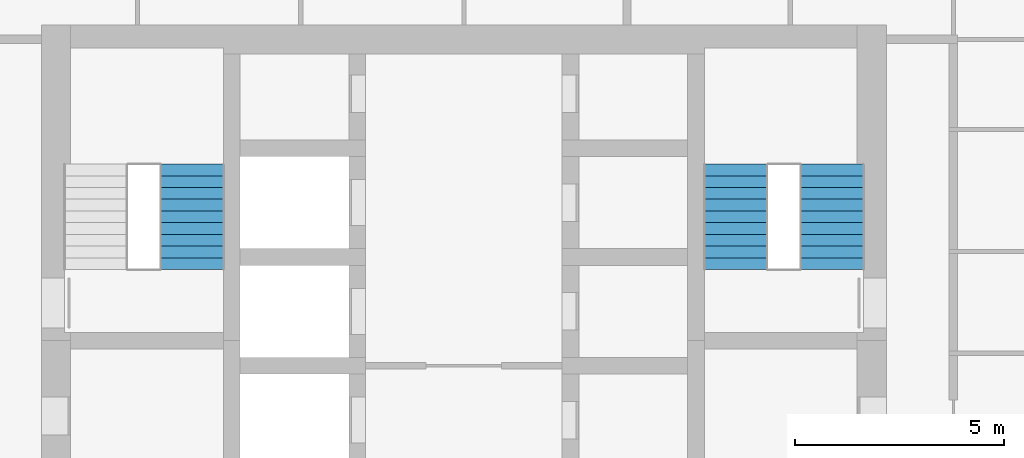
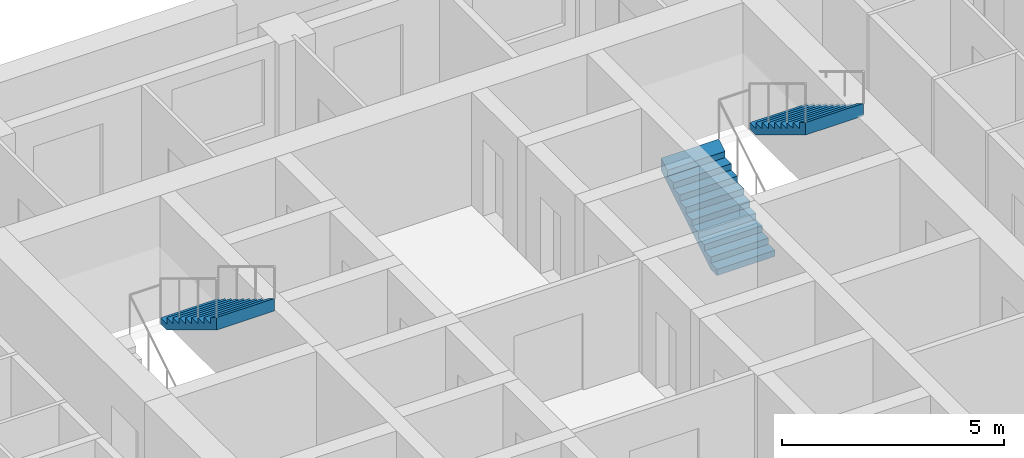
# One storey, part 15 of 17: 3 stair flights, 2 elements without a shape of their own.
"""IFC4 building model written with IfcOpenShell, lengths in metres."""

from ifc_helpers import new_model, si_unit, direction, frame, origin, place, context, subcontext, project, spatial, triangles, material, type_object, element, aggregate, save


model = new_model("IFC4")

# Units and contexts
model_context = context("Model", 3, precision=1e-05, world=origin(), true_north=direction((0.0, 1.0)))
body_context = subcontext(model_context, "Body", "Model", "MODEL_VIEW")
ifc_project = project(units=[si_unit("LENGTHUNIT", "METRE"), si_unit("AREAUNIT", "SQUARE_METRE"), si_unit("VOLUMEUNIT", "CUBIC_METRE"), si_unit("PLANEANGLEUNIT", "RADIAN"), si_unit("MASSUNIT", "GRAM", prefix="KILO")], contexts=[model_context])

# Site, building, storey
site_placement = place(None, origin())
site = spatial("IfcSite", under=ifc_project, at=site_placement, CompositionType="ELEMENT")
building_placement = place(site_placement, origin())
building = spatial("IfcBuilding", under=site, at=building_placement, Name="Ludao Terraces", CompositionType="ELEMENT")
storey_placement = place(building_placement, frame((0.0, 0.0, 92.0)))
storey = spatial("IfcBuildingStorey", under=building, at=storey_placement, Name="L25", CompositionType="ELEMENT", Elevation=92.0)

# Stair, stair flight
ifc_material = material(Name="Concrete C40", Category="concrete")
stair_type = type_object("IfcStairType", Name="INT Stair", PredefinedType="HALF_TURN_STAIR", material=ifc_material)
stair_1_placement = place(storey_placement, origin())
stair_1 = element("IfcStair", 1, at=stair_1_placement, inside=storey, type_object=stair_type, Name="EXIT STAIR 1", PredefinedType="HALF_TURN_STAIR")
stair_flight_type = type_object("IfcStairFlightType", Name="INT Stair flight", PredefinedType="STRAIGHT", material=ifc_material)
stair_flight_1_placement = place(storey_placement, frame((78.5, 81.52001953125, 1.699951171875), z_axis=(0.0, 0.0, 1.0), x_axis=(0.0, -1.0, 0.0)))
stair_flight_1 = element("IfcStairFlight", 2, at=stair_flight_1_placement, type_object=stair_flight_type, Name="ST1 flight 2", NumberOfRisers=10, NumberOfTreads=9, PredefinedType="STRAIGHT", RiserHeight=0.17, TreadLength=0.28, context=body_context, shape_type="Tessellation", body=[
    triangles([(0.0, -0.75, 0.0), (0.0, -0.5, 0.0), (0.0, -0.25, 0.0), (0.0, 0.0, 0.0), (0.0, 0.25, 0.0), (0.0, 0.5, 0.0), (0.0, 0.75, 0.0), (0.0, -0.75, 0.169921875), (0.0, -0.5, 0.169921875), (0.0, -0.25, 0.169921875), (0.0, 0.0, 0.169921875), (0.0, 0.25, 0.169921875), (0.0, 0.5, 0.169921875), (0.0, 0.75, 0.169921875), (0.280029296875, -0.75, 0.169921875), (0.280029296875, -0.5, 0.169921875), (0.280029296875, -0.25, 0.169921875), (0.280029296875, 0.0, 0.169921875), (0.280029296875, 0.25, 0.169921875), (0.280029296875, 0.5, 0.169921875), (0.280029296875, 0.75, 0.169921875), (0.280029296875, -0.75, 0.340087890625), (0.280029296875, -0.5, 0.340087890625), (0.280029296875, -0.25, 0.340087890625), (0.280029296875, 0.0, 0.340087890625), (0.280029296875, 0.25, 0.340087890625), (0.280029296875, 0.5, 0.340087890625), (0.280029296875, 0.75, 0.340087890625), (0.56005859375, -0.75, 0.340087890625), (0.56005859375, -0.5, 0.340087890625), (0.56005859375, -0.25, 0.340087890625), (0.56005859375, 0.0, 0.340087890625), (0.56005859375, 0.25, 0.340087890625), (0.56005859375, 0.5, 0.340087890625), (0.56005859375, 0.75, 0.340087890625), (0.56005859375, -0.75, 0.510009765625), (0.56005859375, -0.5, 0.510009765625), (0.56005859375, -0.25, 0.510009765625), (0.56005859375, 0.0, 0.510009765625), (0.56005859375, 0.25, 0.510009765625), (0.56005859375, 0.5, 0.510009765625), (0.56005859375, 0.75, 0.510009765625), (0.840087890625, -0.75, 0.510009765625), (0.840087890625, -0.5, 0.510009765625), (0.840087890625, -0.25, 0.510009765625), (0.840087890625, 0.0, 0.510009765625), (0.840087890625, 0.25, 0.510009765625), (0.840087890625, 0.5, 0.510009765625), (0.840087890625, 0.75, 0.510009765625), (0.840087890625, -0.75, 0.679931640625), (0.840087890625, -0.5, 0.679931640625), (0.840087890625, -0.25, 0.679931640625), (0.840087890625, 0.0, 0.679931640625), (0.840087890625, 0.25, 0.679931640625), (0.840087890625, 0.5, 0.679931640625), (0.840087890625, 0.75, 0.679931640625), (1.1201171875, -0.75, 0.679931640625), (1.1201171875, -0.5, 0.679931640625), (1.1201171875, -0.25, 0.679931640625), (1.1201171875, 0.0, 0.679931640625), (1.1201171875, 0.25, 0.679931640625), (1.1201171875, 0.5, 0.679931640625), (1.1201171875, 0.75, 0.679931640625), (1.1201171875, -0.75, 0.85009765625), (1.1201171875, -0.5, 0.85009765625), (1.1201171875, -0.25, 0.85009765625), (1.1201171875, 0.0, 0.85009765625), (1.1201171875, 0.25, 0.85009765625), (1.1201171875, 0.5, 0.85009765625), (1.1201171875, 0.75, 0.85009765625), (1.39990234375, -0.75, 0.85009765625), (1.39990234375, -0.5, 0.85009765625), (1.39990234375, -0.25, 0.85009765625), (1.39990234375, 0.0, 0.85009765625), (1.39990234375, 0.25, 0.85009765625), (1.39990234375, 0.5, 0.85009765625), (1.39990234375, 0.75, 0.85009765625), (1.39990234375, -0.75, 1.02001953125), (1.39990234375, -0.5, 1.02001953125), (1.39990234375, -0.25, 1.02001953125), (1.39990234375, 0.0, 1.02001953125), (1.39990234375, 0.25, 1.02001953125), (1.39990234375, 0.5, 1.02001953125), (1.39990234375, 0.75, 1.02001953125), (1.679931640625, -0.75, 1.02001953125), (1.679931640625, -0.5, 1.02001953125), (1.679931640625, -0.25, 1.02001953125), (1.679931640625, 0.0, 1.02001953125), (1.679931640625, 0.25, 1.02001953125), (1.679931640625, 0.5, 1.02001953125), (1.679931640625, 0.75, 1.02001953125), (1.679931640625, -0.75, 1.18994140625), (1.679931640625, -0.5, 1.18994140625), (1.679931640625, -0.25, 1.18994140625), (1.679931640625, 0.0, 1.18994140625), (1.679931640625, 0.25, 1.18994140625), (1.679931640625, 0.5, 1.18994140625), (1.679931640625, 0.75, 1.18994140625), (1.9599609375, -0.75, 1.18994140625), (1.9599609375, -0.5, 1.18994140625), (1.9599609375, -0.25, 1.18994140625), (1.9599609375, 0.0, 1.18994140625), (1.9599609375, 0.25, 1.18994140625), (1.9599609375, 0.5, 1.18994140625), (1.9599609375, 0.75, 1.18994140625), (1.9599609375, -0.75, 1.360107421875), (1.9599609375, -0.5, 1.360107421875), (1.9599609375, -0.25, 1.360107421875), (1.9599609375, 0.0, 1.360107421875), (1.9599609375, 0.25, 1.360107421875), (1.9599609375, 0.5, 1.360107421875), (1.9599609375, 0.75, 1.360107421875), (2.239990234375, -0.75, 1.360107421875), (2.239990234375, -0.5, 1.360107421875), (2.239990234375, -0.25, 1.360107421875), (2.239990234375, 0.0, 1.360107421875), (2.239990234375, 0.25, 1.360107421875), (2.239990234375, 0.5, 1.360107421875), (2.239990234375, 0.75, 1.360107421875), (2.239990234375, -0.75, 1.530029296875), (2.239990234375, -0.5, 1.530029296875), (2.239990234375, -0.25, 1.530029296875), (2.239990234375, 0.0, 1.530029296875), (2.239990234375, 0.25, 1.530029296875), (2.239990234375, 0.5, 1.530029296875), (2.239990234375, 0.75, 1.530029296875), (2.52001953125, -0.75, 1.699951171875), (2.52001953125, -0.5, 1.699951171875), (2.52001953125, -0.25, 1.699951171875), (2.52001953125, 0.0, 1.699951171875), (2.52001953125, 0.25, 1.699951171875), (2.52001953125, 0.5, 1.699951171875), (2.52001953125, 0.75, 1.699951171875), (2.52001953125, -0.75, 1.354736328125), (2.52001953125, -0.5, 1.354736328125), (2.52001953125, -0.25, 1.354736328125), (2.52001953125, 0.0, 1.354736328125), (2.52001953125, 0.25, 1.354736328125), (2.52001953125, 0.5, 1.354736328125), (2.52001953125, 0.75, 1.354736328125), (0.288818359375, -0.75, 0.0), (0.288818359375, -0.5, 0.0), (0.288818359375, -0.25, 0.0), (0.288818359375, 0.0, 0.0), (0.288818359375, 0.25, 0.0), (0.288818359375, 0.5, 0.0), (0.288818359375, 0.75, 0.0)], [[1, 141, 134], [7, 140, 147], [134, 127, 120], [140, 126, 133], [134, 120, 113], [140, 119, 126], [134, 113, 106], [140, 112, 119], [134, 106, 99], [140, 105, 112], [99, 92, 85], [105, 91, 98], [134, 99, 85], [140, 91, 105], [85, 78, 71], [91, 77, 84], [134, 85, 71], [140, 77, 91], [71, 64, 57], [77, 63, 70], [134, 71, 57], [140, 63, 77], [57, 50, 43], [63, 49, 56], [134, 57, 43], [140, 49, 63], [43, 36, 29], [49, 35, 42], [134, 43, 29], [140, 35, 49], [29, 22, 15], [35, 21, 28], [134, 29, 15], [140, 21, 35], [1, 134, 15], [7, 21, 140], [15, 8, 1], [21, 7, 14], [1, 9, 2], [1, 8, 9], [2, 10, 3], [2, 9, 10], [3, 11, 4], [3, 10, 11], [4, 12, 5], [4, 11, 12], [5, 13, 6], [5, 12, 13], [6, 14, 7], [6, 13, 14], [8, 16, 9], [8, 15, 16], [9, 17, 10], [9, 16, 17], [10, 18, 11], [10, 17, 18], [11, 19, 12], [11, 18, 19], [12, 20, 13], [12, 19, 20], [13, 21, 14], [13, 20, 21], [15, 23, 16], [15, 22, 23], [16, 24, 17], [16, 23, 24], [17, 25, 18], [17, 24, 25], [18, 26, 19], [18, 25, 26], [19, 27, 20], [19, 26, 27], [20, 28, 21], [20, 27, 28], [22, 30, 23], [22, 29, 30], [23, 31, 24], [23, 30, 31], [24, 32, 25], [24, 31, 32], [25, 33, 26], [25, 32, 33], [26, 34, 27], [26, 33, 34], [27, 35, 28], [27, 34, 35], [29, 37, 30], [29, 36, 37], [30, 38, 31], [30, 37, 38], [31, 39, 32], [31, 38, 39], [32, 40, 33], [32, 39, 40], [33, 41, 34], [33, 40, 41], [34, 42, 35], [34, 41, 42], [36, 44, 37], [36, 43, 44], [37, 45, 38], [37, 44, 45], [38, 46, 39], [38, 45, 46], [39, 47, 40], [39, 46, 47], [40, 48, 41], [40, 47, 48], [41, 49, 42], [41, 48, 49], [43, 51, 44], [43, 50, 51], [44, 52, 45], [44, 51, 52], [45, 53, 46], [45, 52, 53], [46, 54, 47], [46, 53, 54], [47, 55, 48], [47, 54, 55], [48, 56, 49], [48, 55, 56], [50, 58, 51], [50, 57, 58], [51, 59, 52], [51, 58, 59], [52, 60, 53], [52, 59, 60], [53, 61, 54], [53, 60, 61], [54, 62, 55], [54, 61, 62], [55, 63, 56], [55, 62, 63], [57, 65, 58], [57, 64, 65], [58, 66, 59], [58, 65, 66], [59, 67, 60], [59, 66, 67], [60, 68, 61], [60, 67, 68], [61, 69, 62], [61, 68, 69], [62, 70, 63], [62, 69, 70], [64, 72, 65], [64, 71, 72], [65, 73, 66], [65, 72, 73], [66, 74, 67], [66, 73, 74], [67, 75, 68], [67, 74, 75], [68, 76, 69], [68, 75, 76], [69, 77, 70], [69, 76, 77], [71, 79, 72], [71, 78, 79], [72, 80, 73], [72, 79, 80], [73, 81, 74], [73, 80, 81], [74, 82, 75], [74, 81, 82], [75, 83, 76], [75, 82, 83], [76, 84, 77], [76, 83, 84], [78, 86, 79], [78, 85, 86], [79, 87, 80], [79, 86, 87], [80, 88, 81], [80, 87, 88], [81, 89, 82], [81, 88, 89], [82, 90, 83], [82, 89, 90], [83, 91, 84], [83, 90, 91], [85, 93, 86], [85, 92, 93], [86, 94, 87], [86, 93, 94], [87, 95, 88], [87, 94, 95], [88, 96, 89], [88, 95, 96], [89, 97, 90], [89, 96, 97], [90, 98, 91], [90, 97, 98], [92, 100, 93], [92, 99, 100], [93, 101, 94], [93, 100, 101], [94, 102, 95], [94, 101, 102], [95, 103, 96], [95, 102, 103], [96, 104, 97], [96, 103, 104], [97, 105, 98], [97, 104, 105], [99, 107, 100], [99, 106, 107], [100, 108, 101], [100, 107, 108], [101, 109, 102], [101, 108, 109], [102, 110, 103], [102, 109, 110], [103, 111, 104], [103, 110, 111], [104, 112, 105], [104, 111, 112], [106, 114, 107], [106, 113, 114], [107, 115, 108], [107, 114, 115], [108, 116, 109], [108, 115, 116], [109, 117, 110], [109, 116, 117], [110, 118, 111], [110, 117, 118], [111, 119, 112], [111, 118, 119], [113, 121, 114], [113, 120, 121], [114, 122, 115], [114, 121, 122], [115, 123, 116], [115, 122, 123], [116, 124, 117], [116, 123, 124], [117, 125, 118], [117, 124, 125], [118, 126, 119], [118, 125, 126], [120, 128, 121], [120, 127, 128], [121, 129, 122], [121, 128, 129], [122, 130, 123], [122, 129, 130], [123, 131, 124], [123, 130, 131], [124, 132, 125], [124, 131, 132], [125, 133, 126], [125, 132, 133], [127, 135, 128], [127, 134, 135], [128, 136, 129], [128, 135, 136], [129, 137, 130], [129, 136, 137], [130, 138, 131], [130, 137, 138], [131, 139, 132], [131, 138, 139], [132, 140, 133], [132, 139, 140], [134, 142, 135], [134, 141, 142], [135, 143, 136], [135, 142, 143], [136, 144, 137], [136, 143, 144], [137, 145, 138], [137, 144, 145], [138, 146, 139], [138, 145, 146], [139, 147, 140], [139, 146, 147], [141, 2, 142], [141, 1, 2], [142, 3, 143], [142, 2, 3], [143, 4, 144], [143, 3, 4], [144, 5, 145], [144, 4, 5], [145, 6, 146], [145, 5, 6], [146, 7, 147], [146, 6, 7]], closed=True),
])
aggregate(stair_1, [stair_flight_1])

# Stair, stair flights
stair_2_placement = place(storey_placement, origin())
stair_2 = element("IfcStair", 3, at=stair_2_placement, inside=storey, type_object=stair_type, Name="EXIT STAIR 2", PredefinedType="HALF_TURN_STAIR")
stair_flight_2_placement = place(storey_placement, frame((91.5, 79.0, 0.0), z_axis=(0.0, 0.0, 1.0), x_axis=(0.0, 1.0, 0.0)))
stair_flight_2 = element("IfcStairFlight", 4, at=stair_flight_2_placement, type_object=stair_flight_type, Name="ST2 flight 1", NumberOfRisers=10, NumberOfTreads=9, PredefinedType="STRAIGHT", RiserHeight=0.17, TreadLength=0.28, context=body_context, shape_type="Tessellation", body=[
    triangles([(0.0, -0.75, 0.0), (0.0, -0.5, 0.0), (0.0, -0.25, 0.0), (0.0, 0.0, 0.0), (0.0, 0.25, 0.0), (0.0, 0.5, 0.0), (0.0, 0.75, 0.0), (0.0, -0.75, 0.169921875), (0.0, -0.5, 0.169921875), (0.0, -0.25, 0.169921875), (0.0, 0.0, 0.169921875), (0.0, 0.25, 0.169921875), (0.0, 0.5, 0.169921875), (0.0, 0.75, 0.169921875), (0.280029296875, -0.75, 0.169921875), (0.280029296875, -0.5, 0.169921875), (0.280029296875, -0.25, 0.169921875), (0.280029296875, 0.0, 0.169921875), (0.280029296875, 0.25, 0.169921875), (0.280029296875, 0.5, 0.169921875), (0.280029296875, 0.75, 0.169921875), (0.280029296875, -0.75, 0.340087890625), (0.280029296875, -0.5, 0.340087890625), (0.280029296875, -0.25, 0.340087890625), (0.280029296875, 0.0, 0.340087890625), (0.280029296875, 0.25, 0.340087890625), (0.280029296875, 0.5, 0.340087890625), (0.280029296875, 0.75, 0.340087890625), (0.56005859375, -0.75, 0.340087890625), (0.56005859375, -0.5, 0.340087890625), (0.56005859375, -0.25, 0.340087890625), (0.56005859375, 0.0, 0.340087890625), (0.56005859375, 0.25, 0.340087890625), (0.56005859375, 0.5, 0.340087890625), (0.56005859375, 0.75, 0.340087890625), (0.56005859375, -0.75, 0.510009765625), (0.56005859375, -0.5, 0.510009765625), (0.56005859375, -0.25, 0.510009765625), (0.56005859375, 0.0, 0.510009765625), (0.56005859375, 0.25, 0.510009765625), (0.56005859375, 0.5, 0.510009765625), (0.56005859375, 0.75, 0.510009765625), (0.840087890625, -0.75, 0.510009765625), (0.840087890625, -0.5, 0.510009765625), (0.840087890625, -0.25, 0.510009765625), (0.840087890625, 0.0, 0.510009765625), (0.840087890625, 0.25, 0.510009765625), (0.840087890625, 0.5, 0.510009765625), (0.840087890625, 0.75, 0.510009765625), (0.840087890625, -0.75, 0.679931640625), (0.840087890625, -0.5, 0.679931640625), (0.840087890625, -0.25, 0.679931640625), (0.840087890625, 0.0, 0.679931640625), (0.840087890625, 0.25, 0.679931640625), (0.840087890625, 0.5, 0.679931640625), (0.840087890625, 0.75, 0.679931640625), (1.1201171875, -0.75, 0.679931640625), (1.1201171875, -0.5, 0.679931640625), (1.1201171875, -0.25, 0.679931640625), (1.1201171875, 0.0, 0.679931640625), (1.1201171875, 0.25, 0.679931640625), (1.1201171875, 0.5, 0.679931640625), (1.1201171875, 0.75, 0.679931640625), (1.1201171875, -0.75, 0.85009765625), (1.1201171875, -0.5, 0.85009765625), (1.1201171875, -0.25, 0.85009765625), (1.1201171875, 0.0, 0.85009765625), (1.1201171875, 0.25, 0.85009765625), (1.1201171875, 0.5, 0.85009765625), (1.1201171875, 0.75, 0.85009765625), (1.39990234375, -0.75, 0.85009765625), (1.39990234375, -0.5, 0.85009765625), (1.39990234375, -0.25, 0.85009765625), (1.39990234375, 0.0, 0.85009765625), (1.39990234375, 0.25, 0.85009765625), (1.39990234375, 0.5, 0.85009765625), (1.39990234375, 0.75, 0.85009765625), (1.39990234375, -0.75, 1.02001953125), (1.39990234375, -0.5, 1.02001953125), (1.39990234375, -0.25, 1.02001953125), (1.39990234375, 0.0, 1.02001953125), (1.39990234375, 0.25, 1.02001953125), (1.39990234375, 0.5, 1.02001953125), (1.39990234375, 0.75, 1.02001953125), (1.679931640625, -0.75, 1.02001953125), (1.679931640625, -0.5, 1.02001953125), (1.679931640625, -0.25, 1.02001953125), (1.679931640625, 0.0, 1.02001953125), (1.679931640625, 0.25, 1.02001953125), (1.679931640625, 0.5, 1.02001953125), (1.679931640625, 0.75, 1.02001953125), (1.679931640625, -0.75, 1.18994140625), (1.679931640625, -0.5, 1.18994140625), (1.679931640625, -0.25, 1.18994140625), (1.679931640625, 0.0, 1.18994140625), (1.679931640625, 0.25, 1.18994140625), (1.679931640625, 0.5, 1.18994140625), (1.679931640625, 0.75, 1.18994140625), (1.9599609375, -0.75, 1.18994140625), (1.9599609375, -0.5, 1.18994140625), (1.9599609375, -0.25, 1.18994140625), (1.9599609375, 0.0, 1.18994140625), (1.9599609375, 0.25, 1.18994140625), (1.9599609375, 0.5, 1.18994140625), (1.9599609375, 0.75, 1.18994140625), (1.9599609375, -0.75, 1.360107421875), (1.9599609375, -0.5, 1.360107421875), (1.9599609375, -0.25, 1.360107421875), (1.9599609375, 0.0, 1.360107421875), (1.9599609375, 0.25, 1.360107421875), (1.9599609375, 0.5, 1.360107421875), (1.9599609375, 0.75, 1.360107421875), (2.239990234375, -0.75, 1.360107421875), (2.239990234375, -0.5, 1.360107421875), (2.239990234375, -0.25, 1.360107421875), (2.239990234375, 0.0, 1.360107421875), (2.239990234375, 0.25, 1.360107421875), (2.239990234375, 0.5, 1.360107421875), (2.239990234375, 0.75, 1.360107421875), (2.239990234375, -0.75, 1.530029296875), (2.239990234375, -0.5, 1.530029296875), (2.239990234375, -0.25, 1.530029296875), (2.239990234375, 0.0, 1.530029296875), (2.239990234375, 0.25, 1.530029296875), (2.239990234375, 0.5, 1.530029296875), (2.239990234375, 0.75, 1.530029296875), (2.52001953125, -0.75, 1.699951171875), (2.52001953125, -0.5, 1.699951171875), (2.52001953125, -0.25, 1.699951171875), (2.52001953125, 0.0, 1.699951171875), (2.52001953125, 0.25, 1.699951171875), (2.52001953125, 0.5, 1.699951171875), (2.52001953125, 0.75, 1.699951171875), (2.52001953125, -0.75, 1.354736328125), (2.52001953125, -0.5, 1.354736328125), (2.52001953125, -0.25, 1.354736328125), (2.52001953125, 0.0, 1.354736328125), (2.52001953125, 0.25, 1.354736328125), (2.52001953125, 0.5, 1.354736328125), (2.52001953125, 0.75, 1.354736328125), (0.288818359375, -0.75, 0.0), (0.288818359375, -0.5, 0.0), (0.288818359375, -0.25, 0.0), (0.288818359375, 0.0, 0.0), (0.288818359375, 0.25, 0.0), (0.288818359375, 0.5, 0.0), (0.288818359375, 0.75, 0.0)], [[1, 141, 134], [7, 140, 147], [134, 127, 120], [140, 126, 133], [134, 120, 113], [140, 119, 126], [134, 113, 106], [140, 112, 119], [134, 106, 99], [140, 105, 112], [99, 92, 85], [105, 91, 98], [134, 99, 85], [140, 91, 105], [85, 78, 71], [91, 77, 84], [134, 85, 71], [140, 77, 91], [71, 64, 57], [77, 63, 70], [134, 71, 57], [140, 63, 77], [57, 50, 43], [63, 49, 56], [134, 57, 43], [140, 49, 63], [43, 36, 29], [49, 35, 42], [134, 43, 29], [140, 35, 49], [29, 22, 15], [35, 21, 28], [134, 29, 15], [140, 21, 35], [1, 134, 15], [7, 21, 140], [15, 8, 1], [21, 7, 14], [1, 9, 2], [1, 8, 9], [2, 10, 3], [2, 9, 10], [3, 11, 4], [3, 10, 11], [4, 12, 5], [4, 11, 12], [5, 13, 6], [5, 12, 13], [6, 14, 7], [6, 13, 14], [8, 16, 9], [8, 15, 16], [9, 17, 10], [9, 16, 17], [10, 18, 11], [10, 17, 18], [11, 19, 12], [11, 18, 19], [12, 20, 13], [12, 19, 20], [13, 21, 14], [13, 20, 21], [15, 23, 16], [15, 22, 23], [16, 24, 17], [16, 23, 24], [17, 25, 18], [17, 24, 25], [18, 26, 19], [18, 25, 26], [19, 27, 20], [19, 26, 27], [20, 28, 21], [20, 27, 28], [22, 30, 23], [22, 29, 30], [23, 31, 24], [23, 30, 31], [24, 32, 25], [24, 31, 32], [25, 33, 26], [25, 32, 33], [26, 34, 27], [26, 33, 34], [27, 35, 28], [27, 34, 35], [29, 37, 30], [29, 36, 37], [30, 38, 31], [30, 37, 38], [31, 39, 32], [31, 38, 39], [32, 40, 33], [32, 39, 40], [33, 41, 34], [33, 40, 41], [34, 42, 35], [34, 41, 42], [36, 44, 37], [36, 43, 44], [37, 45, 38], [37, 44, 45], [38, 46, 39], [38, 45, 46], [39, 47, 40], [39, 46, 47], [40, 48, 41], [40, 47, 48], [41, 49, 42], [41, 48, 49], [43, 51, 44], [43, 50, 51], [44, 52, 45], [44, 51, 52], [45, 53, 46], [45, 52, 53], [46, 54, 47], [46, 53, 54], [47, 55, 48], [47, 54, 55], [48, 56, 49], [48, 55, 56], [50, 58, 51], [50, 57, 58], [51, 59, 52], [51, 58, 59], [52, 60, 53], [52, 59, 60], [53, 61, 54], [53, 60, 61], [54, 62, 55], [54, 61, 62], [55, 63, 56], [55, 62, 63], [57, 65, 58], [57, 64, 65], [58, 66, 59], [58, 65, 66], [59, 67, 60], [59, 66, 67], [60, 68, 61], [60, 67, 68], [61, 69, 62], [61, 68, 69], [62, 70, 63], [62, 69, 70], [64, 72, 65], [64, 71, 72], [65, 73, 66], [65, 72, 73], [66, 74, 67], [66, 73, 74], [67, 75, 68], [67, 74, 75], [68, 76, 69], [68, 75, 76], [69, 77, 70], [69, 76, 77], [71, 79, 72], [71, 78, 79], [72, 80, 73], [72, 79, 80], [73, 81, 74], [73, 80, 81], [74, 82, 75], [74, 81, 82], [75, 83, 76], [75, 82, 83], [76, 84, 77], [76, 83, 84], [78, 86, 79], [78, 85, 86], [79, 87, 80], [79, 86, 87], [80, 88, 81], [80, 87, 88], [81, 89, 82], [81, 88, 89], [82, 90, 83], [82, 89, 90], [83, 91, 84], [83, 90, 91], [85, 93, 86], [85, 92, 93], [86, 94, 87], [86, 93, 94], [87, 95, 88], [87, 94, 95], [88, 96, 89], [88, 95, 96], [89, 97, 90], [89, 96, 97], [90, 98, 91], [90, 97, 98], [92, 100, 93], [92, 99, 100], [93, 101, 94], [93, 100, 101], [94, 102, 95], [94, 101, 102], [95, 103, 96], [95, 102, 103], [96, 104, 97], [96, 103, 104], [97, 105, 98], [97, 104, 105], [99, 107, 100], [99, 106, 107], [100, 108, 101], [100, 107, 108], [101, 109, 102], [101, 108, 109], [102, 110, 103], [102, 109, 110], [103, 111, 104], [103, 110, 111], [104, 112, 105], [104, 111, 112], [106, 114, 107], [106, 113, 114], [107, 115, 108], [107, 114, 115], [108, 116, 109], [108, 115, 116], [109, 117, 110], [109, 116, 117], [110, 118, 111], [110, 117, 118], [111, 119, 112], [111, 118, 119], [113, 121, 114], [113, 120, 121], [114, 122, 115], [114, 121, 122], [115, 123, 116], [115, 122, 123], [116, 124, 117], [116, 123, 124], [117, 125, 118], [117, 124, 125], [118, 126, 119], [118, 125, 126], [120, 128, 121], [120, 127, 128], [121, 129, 122], [121, 128, 129], [122, 130, 123], [122, 129, 130], [123, 131, 124], [123, 130, 131], [124, 132, 125], [124, 131, 132], [125, 133, 126], [125, 132, 133], [127, 135, 128], [127, 134, 135], [128, 136, 129], [128, 135, 136], [129, 137, 130], [129, 136, 137], [130, 138, 131], [130, 137, 138], [131, 139, 132], [131, 138, 139], [132, 140, 133], [132, 139, 140], [134, 142, 135], [134, 141, 142], [135, 143, 136], [135, 142, 143], [136, 144, 137], [136, 143, 144], [137, 145, 138], [137, 144, 145], [138, 146, 139], [138, 145, 146], [139, 147, 140], [139, 146, 147], [141, 2, 142], [141, 1, 2], [142, 3, 143], [142, 2, 3], [143, 4, 144], [143, 3, 4], [144, 5, 145], [144, 4, 5], [145, 6, 146], [145, 5, 6], [146, 7, 147], [146, 6, 7]], closed=True),
])
stair_flight_3_placement = place(storey_placement, frame((93.800048828125, 81.52001953125, 1.699951171875), z_axis=(0.0, 0.0, 1.0), x_axis=(0.0, -1.0, 0.0)))
stair_flight_3 = element("IfcStairFlight", 5, at=stair_flight_3_placement, type_object=stair_flight_type, Name="ST2 flight 2", NumberOfRisers=10, NumberOfTreads=9, PredefinedType="STRAIGHT", RiserHeight=0.17, TreadLength=0.28, context=body_context, shape_type="Tessellation", body=[
    triangles([(0.0, -0.75, 0.0), (0.0, -0.5, 0.0), (0.0, -0.25, 0.0), (0.0, 0.0, 0.0), (0.0, 0.25, 0.0), (0.0, 0.5, 0.0), (0.0, 0.75, 0.0), (0.0, -0.75, 0.169921875), (0.0, -0.5, 0.169921875), (0.0, -0.25, 0.169921875), (0.0, 0.0, 0.169921875), (0.0, 0.25, 0.169921875), (0.0, 0.5, 0.169921875), (0.0, 0.75, 0.169921875), (0.280029296875, -0.75, 0.169921875), (0.280029296875, -0.5, 0.169921875), (0.280029296875, -0.25, 0.169921875), (0.280029296875, 0.0, 0.169921875), (0.280029296875, 0.25, 0.169921875), (0.280029296875, 0.5, 0.169921875), (0.280029296875, 0.75, 0.169921875), (0.280029296875, -0.75, 0.340087890625), (0.280029296875, -0.5, 0.340087890625), (0.280029296875, -0.25, 0.340087890625), (0.280029296875, 0.0, 0.340087890625), (0.280029296875, 0.25, 0.340087890625), (0.280029296875, 0.5, 0.340087890625), (0.280029296875, 0.75, 0.340087890625), (0.56005859375, -0.75, 0.340087890625), (0.56005859375, -0.5, 0.340087890625), (0.56005859375, -0.25, 0.340087890625), (0.56005859375, 0.0, 0.340087890625), (0.56005859375, 0.25, 0.340087890625), (0.56005859375, 0.5, 0.340087890625), (0.56005859375, 0.75, 0.340087890625), (0.56005859375, -0.75, 0.510009765625), (0.56005859375, -0.5, 0.510009765625), (0.56005859375, -0.25, 0.510009765625), (0.56005859375, 0.0, 0.510009765625), (0.56005859375, 0.25, 0.510009765625), (0.56005859375, 0.5, 0.510009765625), (0.56005859375, 0.75, 0.510009765625), (0.840087890625, -0.75, 0.510009765625), (0.840087890625, -0.5, 0.510009765625), (0.840087890625, -0.25, 0.510009765625), (0.840087890625, 0.0, 0.510009765625), (0.840087890625, 0.25, 0.510009765625), (0.840087890625, 0.5, 0.510009765625), (0.840087890625, 0.75, 0.510009765625), (0.840087890625, -0.75, 0.679931640625), (0.840087890625, -0.5, 0.679931640625), (0.840087890625, -0.25, 0.679931640625), (0.840087890625, 0.0, 0.679931640625), (0.840087890625, 0.25, 0.679931640625), (0.840087890625, 0.5, 0.679931640625), (0.840087890625, 0.75, 0.679931640625), (1.1201171875, -0.75, 0.679931640625), (1.1201171875, -0.5, 0.679931640625), (1.1201171875, -0.25, 0.679931640625), (1.1201171875, 0.0, 0.679931640625), (1.1201171875, 0.25, 0.679931640625), (1.1201171875, 0.5, 0.679931640625), (1.1201171875, 0.75, 0.679931640625), (1.1201171875, -0.75, 0.85009765625), (1.1201171875, -0.5, 0.85009765625), (1.1201171875, -0.25, 0.85009765625), (1.1201171875, 0.0, 0.85009765625), (1.1201171875, 0.25, 0.85009765625), (1.1201171875, 0.5, 0.85009765625), (1.1201171875, 0.75, 0.85009765625), (1.39990234375, -0.75, 0.85009765625), (1.39990234375, -0.5, 0.85009765625), (1.39990234375, -0.25, 0.85009765625), (1.39990234375, 0.0, 0.85009765625), (1.39990234375, 0.25, 0.85009765625), (1.39990234375, 0.5, 0.85009765625), (1.39990234375, 0.75, 0.85009765625), (1.39990234375, -0.75, 1.02001953125), (1.39990234375, -0.5, 1.02001953125), (1.39990234375, -0.25, 1.02001953125), (1.39990234375, 0.0, 1.02001953125), (1.39990234375, 0.25, 1.02001953125), (1.39990234375, 0.5, 1.02001953125), (1.39990234375, 0.75, 1.02001953125), (1.679931640625, -0.75, 1.02001953125), (1.679931640625, -0.5, 1.02001953125), (1.679931640625, -0.25, 1.02001953125), (1.679931640625, 0.0, 1.02001953125), (1.679931640625, 0.25, 1.02001953125), (1.679931640625, 0.5, 1.02001953125), (1.679931640625, 0.75, 1.02001953125), (1.679931640625, -0.75, 1.18994140625), (1.679931640625, -0.5, 1.18994140625), (1.679931640625, -0.25, 1.18994140625), (1.679931640625, 0.0, 1.18994140625), (1.679931640625, 0.25, 1.18994140625), (1.679931640625, 0.5, 1.18994140625), (1.679931640625, 0.75, 1.18994140625), (1.9599609375, -0.75, 1.18994140625), (1.9599609375, -0.5, 1.18994140625), (1.9599609375, -0.25, 1.18994140625), (1.9599609375, 0.0, 1.18994140625), (1.9599609375, 0.25, 1.18994140625), (1.9599609375, 0.5, 1.18994140625), (1.9599609375, 0.75, 1.18994140625), (1.9599609375, -0.75, 1.360107421875), (1.9599609375, -0.5, 1.360107421875), (1.9599609375, -0.25, 1.360107421875), (1.9599609375, 0.0, 1.360107421875), (1.9599609375, 0.25, 1.360107421875), (1.9599609375, 0.5, 1.360107421875), (1.9599609375, 0.75, 1.360107421875), (2.239990234375, -0.75, 1.360107421875), (2.239990234375, -0.5, 1.360107421875), (2.239990234375, -0.25, 1.360107421875), (2.239990234375, 0.0, 1.360107421875), (2.239990234375, 0.25, 1.360107421875), (2.239990234375, 0.5, 1.360107421875), (2.239990234375, 0.75, 1.360107421875), (2.239990234375, -0.75, 1.530029296875), (2.239990234375, -0.5, 1.530029296875), (2.239990234375, -0.25, 1.530029296875), (2.239990234375, 0.0, 1.530029296875), (2.239990234375, 0.25, 1.530029296875), (2.239990234375, 0.5, 1.530029296875), (2.239990234375, 0.75, 1.530029296875), (2.52001953125, -0.75, 1.699951171875), (2.52001953125, -0.5, 1.699951171875), (2.52001953125, -0.25, 1.699951171875), (2.52001953125, 0.0, 1.699951171875), (2.52001953125, 0.25, 1.699951171875), (2.52001953125, 0.5, 1.699951171875), (2.52001953125, 0.75, 1.699951171875), (2.52001953125, -0.75, 1.354736328125), (2.52001953125, -0.5, 1.354736328125), (2.52001953125, -0.25, 1.354736328125), (2.52001953125, 0.0, 1.354736328125), (2.52001953125, 0.25, 1.354736328125), (2.52001953125, 0.5, 1.354736328125), (2.52001953125, 0.75, 1.354736328125), (0.288818359375, -0.75, 0.0), (0.288818359375, -0.5, 0.0), (0.288818359375, -0.25, 0.0), (0.288818359375, 0.0, 0.0), (0.288818359375, 0.25, 0.0), (0.288818359375, 0.5, 0.0), (0.288818359375, 0.75, 0.0)], [[1, 141, 134], [7, 140, 147], [134, 127, 120], [140, 126, 133], [134, 120, 113], [140, 119, 126], [134, 113, 106], [140, 112, 119], [134, 106, 99], [140, 105, 112], [99, 92, 85], [105, 91, 98], [134, 99, 85], [140, 91, 105], [85, 78, 71], [91, 77, 84], [134, 85, 71], [140, 77, 91], [71, 64, 57], [77, 63, 70], [134, 71, 57], [140, 63, 77], [57, 50, 43], [63, 49, 56], [134, 57, 43], [140, 49, 63], [43, 36, 29], [49, 35, 42], [134, 43, 29], [140, 35, 49], [29, 22, 15], [35, 21, 28], [134, 29, 15], [140, 21, 35], [1, 134, 15], [7, 21, 140], [15, 8, 1], [21, 7, 14], [1, 9, 2], [1, 8, 9], [2, 10, 3], [2, 9, 10], [3, 11, 4], [3, 10, 11], [4, 12, 5], [4, 11, 12], [5, 13, 6], [5, 12, 13], [6, 14, 7], [6, 13, 14], [8, 16, 9], [8, 15, 16], [9, 17, 10], [9, 16, 17], [10, 18, 11], [10, 17, 18], [11, 19, 12], [11, 18, 19], [12, 20, 13], [12, 19, 20], [13, 21, 14], [13, 20, 21], [15, 23, 16], [15, 22, 23], [16, 24, 17], [16, 23, 24], [17, 25, 18], [17, 24, 25], [18, 26, 19], [18, 25, 26], [19, 27, 20], [19, 26, 27], [20, 28, 21], [20, 27, 28], [22, 30, 23], [22, 29, 30], [23, 31, 24], [23, 30, 31], [24, 32, 25], [24, 31, 32], [25, 33, 26], [25, 32, 33], [26, 34, 27], [26, 33, 34], [27, 35, 28], [27, 34, 35], [29, 37, 30], [29, 36, 37], [30, 38, 31], [30, 37, 38], [31, 39, 32], [31, 38, 39], [32, 40, 33], [32, 39, 40], [33, 41, 34], [33, 40, 41], [34, 42, 35], [34, 41, 42], [36, 44, 37], [36, 43, 44], [37, 45, 38], [37, 44, 45], [38, 46, 39], [38, 45, 46], [39, 47, 40], [39, 46, 47], [40, 48, 41], [40, 47, 48], [41, 49, 42], [41, 48, 49], [43, 51, 44], [43, 50, 51], [44, 52, 45], [44, 51, 52], [45, 53, 46], [45, 52, 53], [46, 54, 47], [46, 53, 54], [47, 55, 48], [47, 54, 55], [48, 56, 49], [48, 55, 56], [50, 58, 51], [50, 57, 58], [51, 59, 52], [51, 58, 59], [52, 60, 53], [52, 59, 60], [53, 61, 54], [53, 60, 61], [54, 62, 55], [54, 61, 62], [55, 63, 56], [55, 62, 63], [57, 65, 58], [57, 64, 65], [58, 66, 59], [58, 65, 66], [59, 67, 60], [59, 66, 67], [60, 68, 61], [60, 67, 68], [61, 69, 62], [61, 68, 69], [62, 70, 63], [62, 69, 70], [64, 72, 65], [64, 71, 72], [65, 73, 66], [65, 72, 73], [66, 74, 67], [66, 73, 74], [67, 75, 68], [67, 74, 75], [68, 76, 69], [68, 75, 76], [69, 77, 70], [69, 76, 77], [71, 79, 72], [71, 78, 79], [72, 80, 73], [72, 79, 80], [73, 81, 74], [73, 80, 81], [74, 82, 75], [74, 81, 82], [75, 83, 76], [75, 82, 83], [76, 84, 77], [76, 83, 84], [78, 86, 79], [78, 85, 86], [79, 87, 80], [79, 86, 87], [80, 88, 81], [80, 87, 88], [81, 89, 82], [81, 88, 89], [82, 90, 83], [82, 89, 90], [83, 91, 84], [83, 90, 91], [85, 93, 86], [85, 92, 93], [86, 94, 87], [86, 93, 94], [87, 95, 88], [87, 94, 95], [88, 96, 89], [88, 95, 96], [89, 97, 90], [89, 96, 97], [90, 98, 91], [90, 97, 98], [92, 100, 93], [92, 99, 100], [93, 101, 94], [93, 100, 101], [94, 102, 95], [94, 101, 102], [95, 103, 96], [95, 102, 103], [96, 104, 97], [96, 103, 104], [97, 105, 98], [97, 104, 105], [99, 107, 100], [99, 106, 107], [100, 108, 101], [100, 107, 108], [101, 109, 102], [101, 108, 109], [102, 110, 103], [102, 109, 110], [103, 111, 104], [103, 110, 111], [104, 112, 105], [104, 111, 112], [106, 114, 107], [106, 113, 114], [107, 115, 108], [107, 114, 115], [108, 116, 109], [108, 115, 116], [109, 117, 110], [109, 116, 117], [110, 118, 111], [110, 117, 118], [111, 119, 112], [111, 118, 119], [113, 121, 114], [113, 120, 121], [114, 122, 115], [114, 121, 122], [115, 123, 116], [115, 122, 123], [116, 124, 117], [116, 123, 124], [117, 125, 118], [117, 124, 125], [118, 126, 119], [118, 125, 126], [120, 128, 121], [120, 127, 128], [121, 129, 122], [121, 128, 129], [122, 130, 123], [122, 129, 130], [123, 131, 124], [123, 130, 131], [124, 132, 125], [124, 131, 132], [125, 133, 126], [125, 132, 133], [127, 135, 128], [127, 134, 135], [128, 136, 129], [128, 135, 136], [129, 137, 130], [129, 136, 137], [130, 138, 131], [130, 137, 138], [131, 139, 132], [131, 138, 139], [132, 140, 133], [132, 139, 140], [134, 142, 135], [134, 141, 142], [135, 143, 136], [135, 142, 143], [136, 144, 137], [136, 143, 144], [137, 145, 138], [137, 144, 145], [138, 146, 139], [138, 145, 146], [139, 147, 140], [139, 146, 147], [141, 2, 142], [141, 1, 2], [142, 3, 143], [142, 2, 3], [143, 4, 144], [143, 3, 4], [144, 5, 145], [144, 4, 5], [145, 6, 146], [145, 5, 6], [146, 7, 147], [146, 6, 7]], closed=True),
])
aggregate(stair_2, [stair_flight_2, stair_flight_3])

save(model, "model.ifc")
